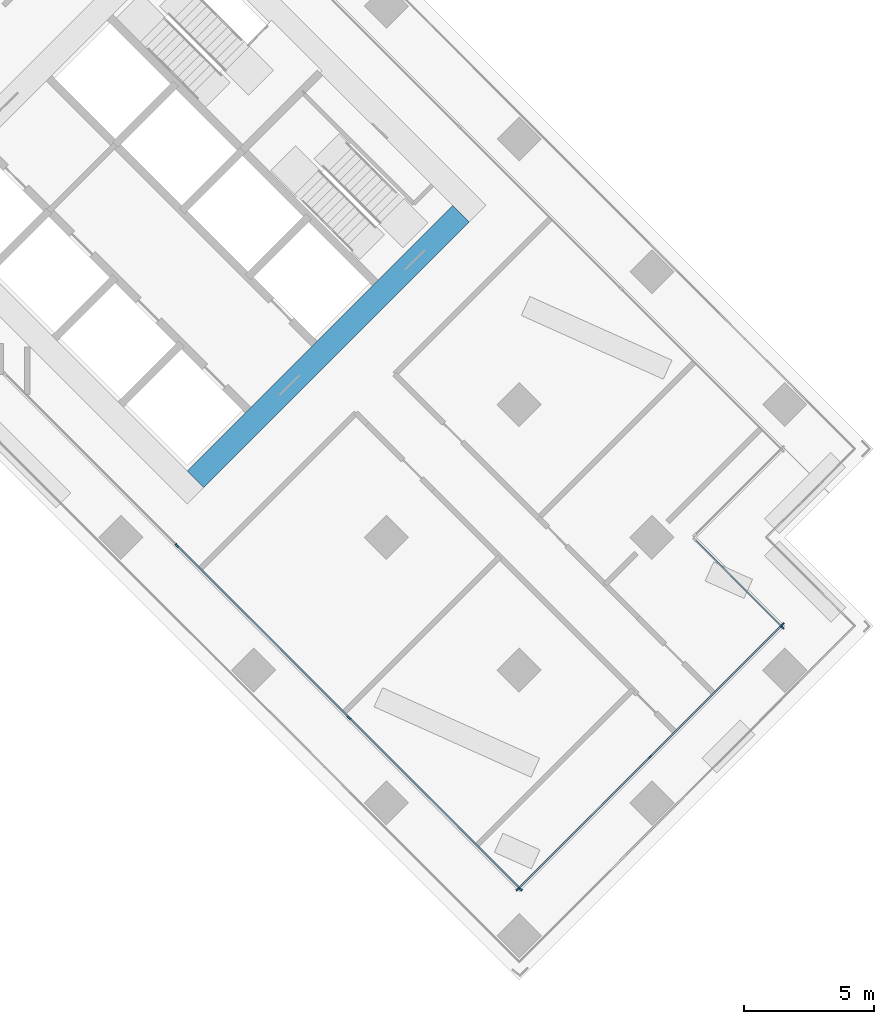
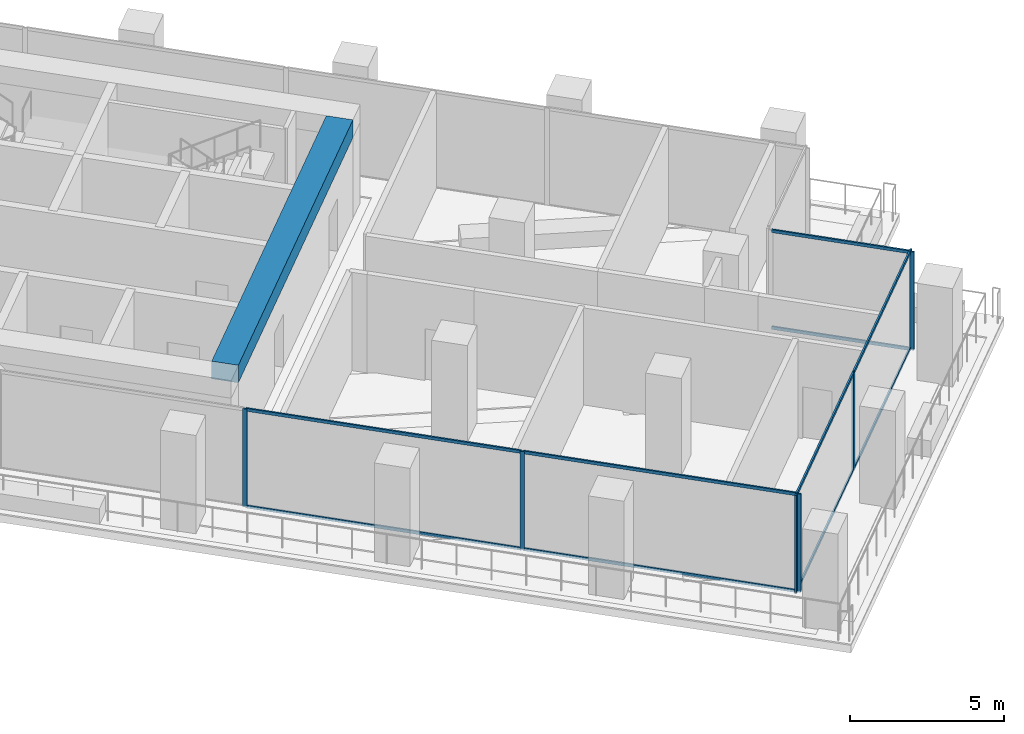
# One storey, part 8 of 24: 17 members, 1 beam, 3 elements without a shape of their own.
"""IFC4 building model written with IfcOpenShell, lengths in metres."""

from ifc_helpers import new_model, si_unit, direction, frame, origin, origin_2d, place, context, subcontext, project, spatial, rectangle, extrude, material, material_profile, profile_set, type_object, element, aggregate, save


model = new_model("IFC4")

# Units and contexts
model_context = context("Model", 3, precision=1e-05, world=origin(), true_north=direction((0.0, 1.0)))
body_context = subcontext(model_context, "Body", "Model", "MODEL_VIEW")
ifc_project = project(units=[si_unit("LENGTHUNIT", "METRE"), si_unit("AREAUNIT", "SQUARE_METRE"), si_unit("VOLUMEUNIT", "CUBIC_METRE"), si_unit("PLANEANGLEUNIT", "RADIAN"), si_unit("MASSUNIT", "GRAM", prefix="KILO")], contexts=[model_context])

# Site, building, storey
site_placement = place(None, origin())
site = spatial("IfcSite", under=ifc_project, at=site_placement, CompositionType="ELEMENT")
building_placement = place(site_placement, origin())
building = spatial("IfcBuilding", under=site, at=building_placement, Name="Windrow Commons", CompositionType="ELEMENT")
storey_placement = place(building_placement, frame((0.0, 0.0, 77.0)))
storey = spatial("IfcBuildingStorey", under=building, at=storey_placement, Name="L20", CompositionType="ELEMENT", Elevation=77.0)

# Curtain wall, member
ifc_material_1 = material(Name="Clear laminated glass in Aluminium 6063-T6 anodised frame", Category="aluminium")
curtain_wall_type = type_object("IfcCurtainWallType", Name="Curtain wall CW2 sky lounge", PredefinedType="USERDEFINED", material=ifc_material_1)
placement = place(storey_placement, origin())
curtain_wall_1 = element("IfcCurtainWall", 1, at=placement, inside=storey, type_object=curtain_wall_type, Name="Curtain wall CW2 L20 1", ObjectType="UNITISED", PredefinedType="USERDEFINED")
ifc_material_2 = material(Name="Aluminium 6063-T6", Category="aluminium")
ifc_material_profile_1 = material_profile(ifc_material_2, rectangle(XDim=0.06, YDim=0.16, at=origin_2d()))
ifc_profile_set_1 = profile_set([ifc_material_profile_1], Name="Aluminium 6063-T6")
member_type_1 = type_object("IfcMemberType", Name="CW2 mullion 60x160", PredefinedType="MULLION", material=ifc_profile_set_1)
member_1_placement = place(storey_placement, frame((109.6551, 32.9182, 0.0), z_axis=(0.0, 0.0, 1.0), x_axis=(-0.7071067812, -0.7071067812, 0.0)))
member_1 = element("IfcMember", 2, at=member_1_placement, type_object=member_type_1, Name="CW2 mullion 1", PredefinedType="MULLION", context=body_context, shape_type="SweptSolid", body=[
    extrude(rectangle(XDim=0.06, YDim=0.16, at=origin_2d()), origin(), (0.0, 0.0, 1.0), 3.9),
])

# Curtain wall, members
curtain_wall_2 = element("IfcCurtainWall", 3, at=placement, inside=storey, type_object=curtain_wall_type, Name="Curtain wall CW2 L20 13", ObjectType="UNITISED", PredefinedType="USERDEFINED")
member_2_placement = place(storey_placement, frame((86.4423, 36.0492, 0.0), z_axis=(0.0, 0.0, 1.0), x_axis=(0.7071051455, 0.7071084169, 0.0)))
member_2 = element("IfcMember", 4, at=member_2_placement, type_object=member_type_1, Name="CW2 mullion 2", PredefinedType="MULLION", context=body_context, shape_type="SweptSolid", body=[
    extrude(rectangle(XDim=0.06, YDim=0.16, at=origin_2d()), origin(), (0.0, 0.0, 1.0), 3.9),
])
member_3_placement = place(storey_placement, frame((93.0388, 29.4526, 0.0), z_axis=(0.0, 0.0, 1.0), x_axis=(0.7071051455, 0.7071084169, 0.0)))
member_3 = element("IfcMember", 5, at=member_3_placement, type_object=member_type_1, Name="CW2 mullion 3", PredefinedType="MULLION", context=body_context, shape_type="SweptSolid", body=[
    extrude(rectangle(XDim=0.06, YDim=0.16, at=origin_2d()), origin(), (0.0, 0.0, 1.0), 3.9),
])
member_4_placement = place(storey_placement, frame((99.6142, 22.8773, 0.0), z_axis=(0.0, 0.0, 1.0), x_axis=(0.7071051455, 0.7071084169, 0.0)))
member_4 = element("IfcMember", 6, at=member_4_placement, type_object=member_type_1, Name="CW2 mullion 4", PredefinedType="MULLION", context=body_context, shape_type="SweptSolid", body=[
    extrude(rectangle(XDim=0.06, YDim=0.16, at=origin_2d()), origin(), (0.0, 0.0, 1.0), 3.9),
])

curtain_wall_3 = element("IfcCurtainWall", 7, at=placement, inside=storey, type_object=curtain_wall_type, Name="Curtain wall CW2 L20 14", ObjectType="UNITISED", PredefinedType="USERDEFINED")
member_5_placement = place(storey_placement, frame((99.5152, 22.8773, 0.0), z_axis=(0.0, 0.0, 1.0), x_axis=(-0.7071067812, 0.7071067812, 0.0)))
member_5 = element("IfcMember", 8, at=member_5_placement, type_object=member_type_1, Name="CW2 mullion 1", PredefinedType="MULLION", context=body_context, shape_type="SweptSolid", body=[
    extrude(rectangle(XDim=0.06, YDim=0.16, at=origin_2d()), origin(), (0.0, 0.0, 1.0), 3.9),
])
member_6_placement = place(storey_placement, frame((104.5851, 27.9473, 0.0), z_axis=(0.0, 0.0, 1.0), x_axis=(-0.7071067812, 0.7071067812, 0.0)))
member_6 = element("IfcMember", 9, at=member_6_placement, type_object=member_type_1, Name="CW2 mullion 2", PredefinedType="MULLION", context=body_context, shape_type="SweptSolid", body=[
    extrude(rectangle(XDim=0.06, YDim=0.16, at=origin_2d()), origin(), (0.0, 0.0, 1.0), 3.9),
])
member_7_placement = place(storey_placement, frame((109.6551, 33.0172, 0.0), z_axis=(0.0, 0.0, 1.0), x_axis=(-0.7071067812, 0.7071067812, 0.0)))
member_7 = element("IfcMember", 10, at=member_7_placement, type_object=member_type_1, Name="CW2 mullion 3", PredefinedType="MULLION", context=body_context, shape_type="SweptSolid", body=[
    extrude(rectangle(XDim=0.06, YDim=0.16, at=origin_2d()), origin(), (0.0, 0.0, 1.0), 3.9),
])

# Member
ifc_material_3 = material(Name="Aluminium 6063-T6", Category="aluminium")
ifc_material_profile_2 = material_profile(ifc_material_3, rectangle(XDim=0.06, YDim=0.12, at=origin_2d()))
ifc_profile_set_2 = profile_set([ifc_material_profile_2], Name="Aluminium 6063-T6")
member_type_2 = type_object("IfcMemberType", Name="CW2 transom 60x120", PredefinedType="USERDEFINED", material=ifc_profile_set_2)
member_8_placement = place(storey_placement, frame((109.6339, 32.9394, 0.03), z_axis=(-0.7071067812, 0.7071067812, 0.0), x_axis=(-0.7071067812, -0.7071067812, 0.0)))
member_8 = element("IfcMember", 11, at=member_8_placement, type_object=member_type_2, Name="CW2 transom 1.1", ObjectType="TRANSOM", PredefinedType="USERDEFINED", context=body_context, shape_type="SweptSolid", body=[
    extrude(rectangle(XDim=0.06, YDim=0.12, at=origin_2d()), origin(), (0.0, 0.0, 1.0), 4.6801),
])

member_9_placement = place(storey_placement, frame((109.6339, 32.9394, 3.87), z_axis=(-0.7071067812, 0.7071067812, 0.0), x_axis=(-0.7071067812, -0.7071067812, 0.0)))
member_9 = element("IfcMember", 12, at=member_9_placement, type_object=member_type_2, Name="CW2 transom 1.2", ObjectType="TRANSOM", PredefinedType="USERDEFINED", context=body_context, shape_type="SweptSolid", body=[
    extrude(rectangle(XDim=0.06, YDim=0.12, at=origin_2d()), origin(), (0.0, 0.0, 1.0), 4.6801),
])

aggregate(curtain_wall_1, [member_1, member_8, member_9])

member_10_placement = place(storey_placement, frame((86.4635, 36.028, 0.03), z_axis=(0.7071067812, -0.7071067812, 0.0), x_axis=(0.7071067812, 0.7071067812, 0.0)))
member_10 = element("IfcMember", 13, at=member_10_placement, type_object=member_type_2, Name="CW2 transom 2.1", ObjectType="TRANSOM", PredefinedType="USERDEFINED", context=body_context, shape_type="SweptSolid", body=[
    extrude(rectangle(XDim=0.06, YDim=0.12, at=origin_2d()), origin(), (0.0, 0.0, 1.0), 9.2689),
])

member_11_placement = place(storey_placement, frame((86.4635, 36.028, 3.87), z_axis=(0.7071067812, -0.7071067812, 0.0), x_axis=(0.7071067812, 0.7071067812, 0.0)))
member_11 = element("IfcMember", 14, at=member_11_placement, type_object=member_type_2, Name="CW2 transom 2.2", ObjectType="TRANSOM", PredefinedType="USERDEFINED", context=body_context, shape_type="SweptSolid", body=[
    extrude(rectangle(XDim=0.06, YDim=0.12, at=origin_2d()), origin(), (0.0, 0.0, 1.0), 9.2689),
])

member_12_placement = place(storey_placement, frame((93.0601, 29.4314, 0.03), z_axis=(0.7071067812, -0.7071067812, 0.0), x_axis=(0.7071067812, 0.7071067812, 0.0)))
member_12 = element("IfcMember", 15, at=member_12_placement, type_object=member_type_2, Name="CW2 transom 3.1", ObjectType="TRANSOM", PredefinedType="USERDEFINED", context=body_context, shape_type="SweptSolid", body=[
    extrude(rectangle(XDim=0.06, YDim=0.12, at=origin_2d()), origin(), (0.0, 0.0, 1.0), 9.2389),
])

member_13_placement = place(storey_placement, frame((93.0601, 29.4314, 3.87), z_axis=(0.7071067812, -0.7071067812, 0.0), x_axis=(0.7071067812, 0.7071067812, 0.0)))
member_13 = element("IfcMember", 16, at=member_13_placement, type_object=member_type_2, Name="CW2 transom 3.2", ObjectType="TRANSOM", PredefinedType="USERDEFINED", context=body_context, shape_type="SweptSolid", body=[
    extrude(rectangle(XDim=0.06, YDim=0.12, at=origin_2d()), origin(), (0.0, 0.0, 1.0), 9.2389),
])

aggregate(curtain_wall_2, [member_2, member_3, member_4, member_10, member_11, member_12, member_13])

member_14_placement = place(storey_placement, frame((99.5364, 22.8985, 0.03), z_axis=(0.7071067812, 0.7071067812, 0.0), x_axis=(-0.7071067812, 0.7071067812, 0.0)))
member_14 = element("IfcMember", 17, at=member_14_placement, type_object=member_type_2, Name="CW2 transom 1.1", ObjectType="TRANSOM", PredefinedType="USERDEFINED", context=body_context, shape_type="SweptSolid", body=[
    extrude(rectangle(XDim=0.06, YDim=0.12, at=origin_2d()), origin(), (0.0, 0.0, 1.0), 7.11),
])

member_15_placement = place(storey_placement, frame((99.5364, 22.8985, 3.87), z_axis=(0.7071067812, 0.7071067812, 0.0), x_axis=(-0.7071067812, 0.7071067812, 0.0)))
member_15 = element("IfcMember", 18, at=member_15_placement, type_object=member_type_2, Name="CW2 transom 1.2", ObjectType="TRANSOM", PredefinedType="USERDEFINED", context=body_context, shape_type="SweptSolid", body=[
    extrude(rectangle(XDim=0.06, YDim=0.12, at=origin_2d()), origin(), (0.0, 0.0, 1.0), 7.11),
])

member_16_placement = place(storey_placement, frame((104.6064, 27.9685, 0.03), z_axis=(0.7071067812, 0.7071067812, 0.0), x_axis=(-0.7071067812, 0.7071067812, 0.0)))
member_16 = element("IfcMember", 19, at=member_16_placement, type_object=member_type_2, Name="CW2 transom 2.1", ObjectType="TRANSOM", PredefinedType="USERDEFINED", context=body_context, shape_type="SweptSolid", body=[
    extrude(rectangle(XDim=0.06, YDim=0.12, at=origin_2d()), origin(), (0.0, 0.0, 1.0), 7.11),
])

member_17_placement = place(storey_placement, frame((104.6064, 27.9685, 3.87), z_axis=(0.7071067812, 0.7071067812, 0.0), x_axis=(-0.7071067812, 0.7071067812, 0.0)))
member_17 = element("IfcMember", 20, at=member_17_placement, type_object=member_type_2, Name="CW2 transom 2.2", ObjectType="TRANSOM", PredefinedType="USERDEFINED", context=body_context, shape_type="SweptSolid", body=[
    extrude(rectangle(XDim=0.06, YDim=0.12, at=origin_2d()), origin(), (0.0, 0.0, 1.0), 7.11),
])

aggregate(curtain_wall_3, [member_5, member_6, member_7, member_14, member_15, member_16, member_17])

# Beam
ifc_material_4 = material(Name="Concrete C60/75", Category="concrete")
ifc_material_profile_3 = material_profile(ifc_material_4, rectangle(XDim=0.9, YDim=0.7, at=origin_2d()))
ifc_profile_set_3 = profile_set([ifc_material_profile_3], Name="Concrete C60/75")
beam_type = type_object("IfcBeamType", Name="RC COUPLING BEAM 900x700 C60/75", PredefinedType="LINTEL", material=ifc_profile_set_3)
beam_placement = place(storey_placement, frame((87.155, 38.5892, 3.55), z_axis=(0.7071067812, 0.7071067812, 0.0), x_axis=(-0.7071067812, 0.7071067812, 0.0)))
element("IfcBeam", 21, at=beam_placement, inside=storey, type_object=beam_type, Name="Core B coupling beam outer-E", PredefinedType="LINTEL", context=body_context, shape_type="SweptSolid", body=[
    extrude(rectangle(XDim=0.9, YDim=0.7, at=origin_2d()), origin(), (0.0, 0.0, 1.0), 14.3999),
])

save(model, "model.ifc")
